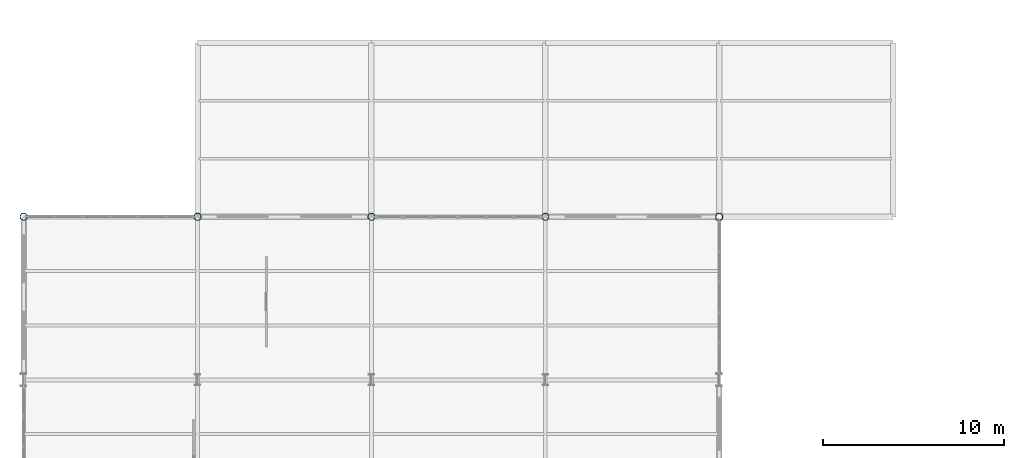
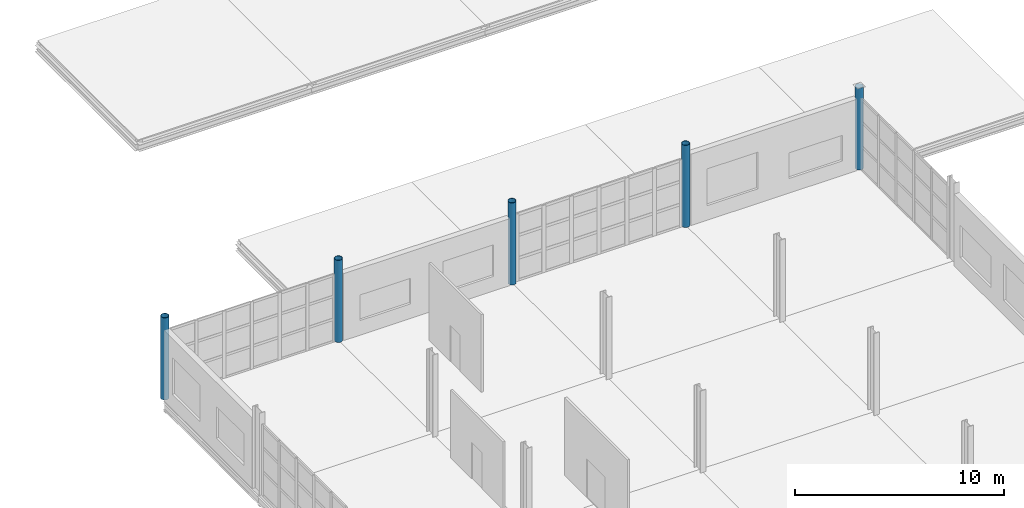
# One storey, part 8 of 120: 5 columns.
"""IFC4 building model written with IfcOpenShell, lengths in metres."""

from ifc_helpers import new_model, si_unit, direction, frame, origin, origin_2d, place, context, subcontext, project, spatial, hollow_circle, extrude, material, material_profile, profile_set, type_object, element, save


model = new_model("IFC4")

# Units and contexts
model_context = context("Model", 3, precision=1e-05, world=origin(), true_north=direction((0.0, 1.0)))
body_context = subcontext(model_context, "Body", "Model", "MODEL_VIEW")
ifc_project = project(units=[si_unit("LENGTHUNIT", "METRE"), si_unit("AREAUNIT", "SQUARE_METRE"), si_unit("VOLUMEUNIT", "CUBIC_METRE"), si_unit("PLANEANGLEUNIT", "RADIAN"), si_unit("MASSUNIT", "GRAM", prefix="KILO")], contexts=[model_context])

# Site, building, storey
site_placement = place(None, origin())
site = spatial("IfcSite", under=ifc_project, at=site_placement, CompositionType="ELEMENT")
building_placement = place(site_placement, origin())
building = spatial("IfcBuilding", under=site, at=building_placement, Name="Zarnetskaya Central Station", CompositionType="ELEMENT")
storey_placement = place(building_placement, frame((0.0, 0.0, 5.39990234375)))
storey = spatial("IfcBuildingStorey", under=building, at=storey_placement, Name="L01", CompositionType="ELEMENT", Elevation=5.39990234375)

# Columns
ifc_material = material(Name="Steel S355", Category="steel")
ifc_material_profile = material_profile(ifc_material, hollow_circle(Radius=0.203125, WallThickness=0.02001953125, at=origin_2d()), Name="CHS 406.4x20")
ifc_profile_set = profile_set([ifc_material_profile], Name="Steel S355")
column_type = type_object("IfcColumnType", Name="COL-V1-PCAN", PredefinedType="COLUMN", material=ifc_profile_set)
for number, where, z_axis, x_axis, name in (
    (1, (0.0, 67.199951171875, 0.0), (0.0, 0.0, 1.0), (1.0, 0.0, 0.0), "Column A9 L01"),
    (2, (9.60009765625, 67.199951171875, 0.0), (0.0, 0.0, 1.0), (1.0, 0.0, 0.0), "Column B9 L01"),
    (3, (19.199951171875, 67.199951171875, 0.0), (0.0, 0.0, 1.0), (1.0, 0.0, 0.0), "Column C9 L01"),
    (4, (28.800048828125, 67.199951171875, 0.0), (0.0, 0.0, 1.0), (1.0, 0.0, 0.0), "Column D9 L01"),
):
    element("IfcColumn", number, at=place(storey_placement, frame(where, z_axis=z_axis, x_axis=x_axis)), inside=storey, type_object=column_type, Name=name, PredefinedType="COLUMN", context=body_context, shape_type="SweptSolid", body=[
        extrude(hollow_circle(Radius=0.203125, WallThickness=0.02001953125, at=origin_2d()), origin(), (0.0, 0.0, 1.0), 4.800048828125),
    ])
column_placement = place(storey_placement, frame((38.39990234375, 67.199951171875, 0.0), z_axis=(0.0, 0.0, 1.0), x_axis=(1.0, 0.0, 0.0)))
element("IfcColumn", 5, at=column_placement, inside=storey, type_object=column_type, Name="Column E9 L01", PredefinedType="COLUMN", context=body_context, shape_type="SweptSolid", body=[
    extrude(hollow_circle(Radius=0.203125, WallThickness=0.02001953125, at=origin_2d()), origin(), (0.0, 0.0, 1.0), 4.7880859375),
])

save(model, "model.ifc")
